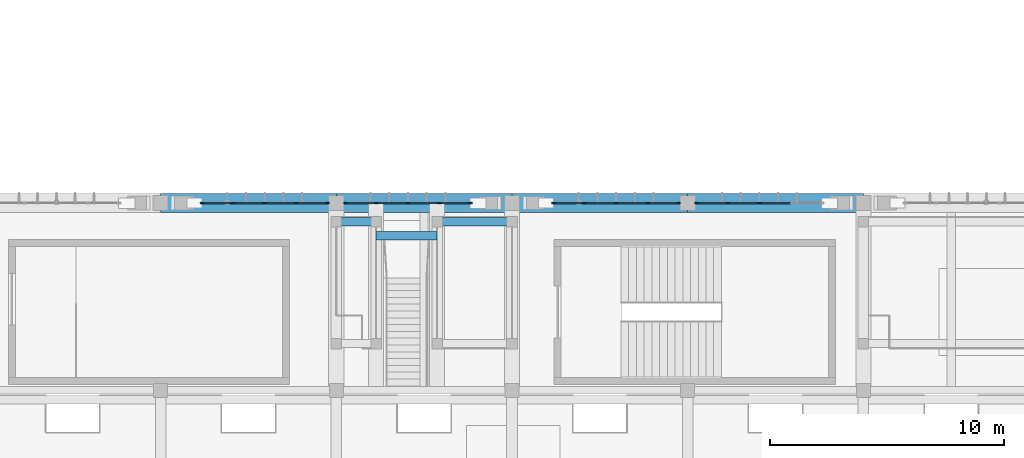
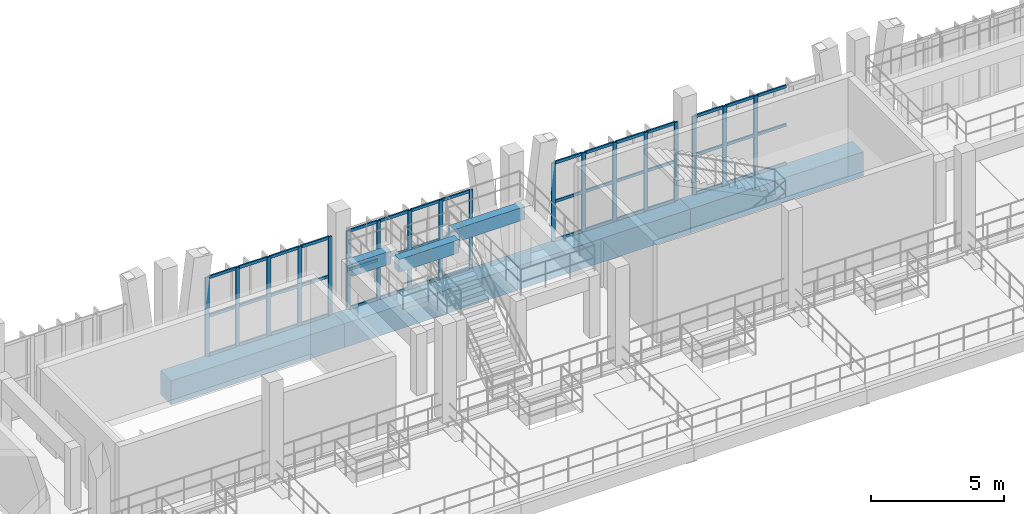
# One storey, part 20 of 81: 63 members, 7 beams, 4 elements without a shape of their own.
"""IFC4 building model written with IfcOpenShell, lengths in metres."""

from ifc_helpers import new_model, si_unit, direction, frame, origin, origin_2d, place, context, subcontext, project, spatial, rectangle, extrude, material, material_profile, profile_set, type_object, element, aggregate, save


model = new_model("IFC4")

# Units and contexts
model_context = context("Model", 3, precision=1e-05, world=origin(), true_north=direction((0.0, 1.0)))
body_context = subcontext(model_context, "Body", "Model", "MODEL_VIEW")
ifc_project = project(units=[si_unit("LENGTHUNIT", "METRE"), si_unit("AREAUNIT", "SQUARE_METRE"), si_unit("VOLUMEUNIT", "CUBIC_METRE"), si_unit("PLANEANGLEUNIT", "RADIAN"), si_unit("MASSUNIT", "GRAM", prefix="KILO")], contexts=[model_context])

# Site, building, storey
site_placement = place(None, origin())
site = spatial("IfcSite", under=ifc_project, at=site_placement, CompositionType="ELEMENT")
building_placement = place(site_placement, origin())
building = spatial("IfcBuilding", under=site, at=building_placement, Name="Vourika Railside Aquatics Centre", CompositionType="ELEMENT")
storey_placement = place(building_placement, frame((0.0, 0.0, 4.800048828125)))
storey = spatial("IfcBuildingStorey", under=building, at=storey_placement, Name="L01", CompositionType="ELEMENT", Elevation=4.800048828125)

# Beams
ifc_material_1 = material(Name="Concrete C40/50", Category="concrete")
ifc_material_profile_1 = material_profile(ifc_material_1, rectangle(XDim=0.800048828125, YDim=1.10009765625, at=origin_2d()), Name="RC 800x1100")
ifc_profile_set_1 = profile_set([ifc_material_profile_1], Name="Concrete C40/50")
beam_type_1 = type_object("IfcBeamType", Name="BM-RING-800x1100", PredefinedType="BEAM", material=ifc_profile_set_1)
for number, where, z_axis, x_axis, name in (
    (1, (96.0, 66.0, -0.85009765625), (1.0, 0.0, 0.0), (0.0, 1.0, 0.0), "Floor Beam GX-L01-088"),
    (2, (103.5, 66.0, -0.85009765625), (1.0, 0.0, 0.0), (0.0, 1.0, 0.0), "Floor Beam GX-L01-089"),
    (3, (111.0, 66.0, -0.85009765625), (1.0, 0.0, 0.0), (0.0, 1.0, 0.0), "Floor Beam GX-L01-090"),
    (4, (118.5, 66.0, -0.85009765625), (1.0, 0.0, 0.0), (0.0, 1.0, 0.0), "Floor Beam GX-L01-091"),
):
    element("IfcBeam", number, at=place(storey_placement, frame(where, z_axis=z_axis, x_axis=x_axis)), inside=storey, type_object=beam_type_1, Name=name, PredefinedType="BEAM", context=body_context, shape_type="SweptSolid", body=[
        extrude(rectangle(XDim=0.800048828125, YDim=1.10009765625, at=origin_2d()), origin(), (0.0, 0.0, 1.0), 7.5),
    ])
ifc_material_2 = material(Name="Concrete C35/45", Category="concrete")
ifc_material_profile_2 = material_profile(ifc_material_2, rectangle(XDim=0.35009765625, YDim=0.60009765625, at=origin_2d()), Name="RC 350x600")
ifc_profile_set_2 = profile_set([ifc_material_profile_2], Name="Concrete C35/45")
beam_type_2 = type_object("IfcBeamType", Name="BM-SEC-350x600", PredefinedType="JOIST", material=ifc_profile_set_2)
beam_1_placement = place(storey_placement, frame((105.199951171875, 64.60009765625, 2.454833984375), z_axis=(1.0, 0.0, 0.0), x_axis=(0.0, 1.0, 0.0)))
element("IfcBeam", 5, at=beam_1_placement, inside=storey, type_object=beam_type_2, Name="Vomitory Arrival Landing Beam 105.2-107.8", PredefinedType="JOIST", context=body_context, shape_type="SweptSolid", body=[
    extrude(rectangle(XDim=0.35009765625, YDim=0.60009765625, at=origin_2d()), origin(), (0.0, 0.0, 1.0), 2.60009765625),
])
beam_2_placement = place(storey_placement, frame((103.5, 65.199951171875, 2.5), z_axis=(1.0, 0.0, 0.0), x_axis=(0.0, 1.0, 0.0)))
element("IfcBeam", 6, at=beam_2_placement, inside=storey, type_object=beam_type_2, Name="Upper Stand Rear Beam 103.5-105.2", PredefinedType="JOIST", context=body_context, shape_type="SweptSolid", body=[
    extrude(rectangle(XDim=0.35009765625, YDim=0.60009765625, at=origin_2d()), origin(), (0.0, 0.0, 1.0), 1.699951171875),
])
beam_3_placement = place(storey_placement, frame((107.800048828125, 65.199951171875, 2.5), z_axis=(1.0, 0.0, 0.0), x_axis=(0.0, 1.0, 0.0)))
element("IfcBeam", 7, at=beam_3_placement, inside=storey, type_object=beam_type_2, Name="Upper Stand Rear Beam 107.8-111.0", PredefinedType="JOIST", context=body_context, shape_type="SweptSolid", body=[
    extrude(rectangle(XDim=0.35009765625, YDim=0.60009765625, at=origin_2d()), origin(), (0.0, 0.0, 1.0), 3.199951171875),
])

# Curtain wall, members
ifc_material_3 = material(Name="Anodized thermally broken aluminium", Category="aluminium")
curtain_wall_type = type_object("IfcCurtainWallType", Name="CW-CRT1", PredefinedType="NOTDEFINED", material=ifc_material_3)
curtain_wall_1_placement = place(storey_placement, origin())
curtain_wall_1 = element("IfcCurtainWall", 8, at=curtain_wall_1_placement, inside=storey, type_object=curtain_wall_type, Name="Spectator Concourse Courtyard Curtain Wall 9", PredefinedType="NOTDEFINED")
ifc_material_4 = material(Name="Anodized aluminium mullion", Category="aluminium")
ifc_material_profile_3 = material_profile(ifc_material_4, rectangle(XDim=0.06591796875, YDim=0.16796875, at=origin_2d()), Name="ALU-M 66x168")
ifc_profile_set_3 = profile_set([ifc_material_profile_3], Name="Anodized aluminium mullion")
member_type_1 = type_object("IfcMemberType", Name="CWM-CRT1", PredefinedType="MULLION", material=ifc_profile_set_3)
member_1_placement = place(storey_placement, frame((103.10693359375, 66.0, 0.0), z_axis=(0.0, 0.0, 1.0), x_axis=(0.0, -1.0, 0.0)))
member_1 = element("IfcMember", 9, at=member_1_placement, type_object=member_type_1, Name="CW13 mullion 1", PredefinedType="MULLION", context=body_context, shape_type="SweptSolid", body=[
    extrude(rectangle(XDim=0.06591796875, YDim=0.16796875, at=origin_2d()), origin(), (0.0, 0.0, 1.0), 3.599853515625),
])
member_2_placement = place(storey_placement, frame((101.79248046875, 66.0, 0.0), z_axis=(0.0, 0.0, 1.0), x_axis=(0.0, -1.0, 0.0)))
member_2 = element("IfcMember", 10, at=member_2_placement, type_object=member_type_1, Name="CW13 mullion 2", PredefinedType="MULLION", context=body_context, shape_type="SweptSolid", body=[
    extrude(rectangle(XDim=0.06591796875, YDim=0.16796875, at=origin_2d()), origin(), (0.0, 0.0, 1.0), 3.599853515625),
])
member_3_placement = place(storey_placement, frame((100.445068359375, 66.0, 0.0), z_axis=(0.0, 0.0, 1.0), x_axis=(0.0, -1.0, 0.0)))
member_3 = element("IfcMember", 11, at=member_3_placement, type_object=member_type_1, Name="CW13 mullion 3", PredefinedType="MULLION", context=body_context, shape_type="SweptSolid", body=[
    extrude(rectangle(XDim=0.06591796875, YDim=0.16796875, at=origin_2d()), origin(), (0.0, 0.0, 1.0), 3.599853515625),
])
member_4_placement = place(storey_placement, frame((99.097412109375, 66.0, 0.0), z_axis=(0.0, 0.0, 1.0), x_axis=(0.0, -1.0, 0.0)))
member_4 = element("IfcMember", 12, at=member_4_placement, type_object=member_type_1, Name="CW13 mullion 4", PredefinedType="MULLION", context=body_context, shape_type="SweptSolid", body=[
    extrude(rectangle(XDim=0.06591796875, YDim=0.16796875, at=origin_2d()), origin(), (0.0, 0.0, 1.0), 3.599853515625),
])
member_5_placement = place(storey_placement, frame((97.782958984375, 66.0, 0.0), z_axis=(0.0, 0.0, 1.0), x_axis=(0.0, -1.0, 0.0)))
member_5 = element("IfcMember", 13, at=member_5_placement, type_object=member_type_1, Name="CW13 mullion 5", PredefinedType="MULLION", context=body_context, shape_type="SweptSolid", body=[
    extrude(rectangle(XDim=0.06591796875, YDim=0.16796875, at=origin_2d()), origin(), (0.0, 0.0, 1.0), 3.599853515625),
])

curtain_wall_2_placement = place(storey_placement, origin())
curtain_wall_2 = element("IfcCurtainWall", 14, at=curtain_wall_2_placement, inside=storey, type_object=curtain_wall_type, Name="Spectator Concourse Courtyard Curtain Wall 10", PredefinedType="NOTDEFINED")
member_6_placement = place(storey_placement, frame((109.217041015625, 66.0, 0.0), z_axis=(0.0, 0.0, 1.0), x_axis=(0.0, -1.0, 0.0)))
member_6 = element("IfcMember", 15, at=member_6_placement, type_object=member_type_1, Name="CW13 mullion 1", PredefinedType="MULLION", context=body_context, shape_type="SweptSolid", body=[
    extrude(rectangle(XDim=0.06591796875, YDim=0.16796875, at=origin_2d()), origin(), (0.0, 0.0, 1.0), 3.599853515625),
])
member_7_placement = place(storey_placement, frame((107.902587890625, 66.0, 0.0), z_axis=(0.0, 0.0, 1.0), x_axis=(0.0, -1.0, 0.0)))
member_7 = element("IfcMember", 16, at=member_7_placement, type_object=member_type_1, Name="CW13 mullion 2", PredefinedType="MULLION", context=body_context, shape_type="SweptSolid", body=[
    extrude(rectangle(XDim=0.06591796875, YDim=0.16796875, at=origin_2d()), origin(), (0.0, 0.0, 1.0), 3.599853515625),
])
member_8_placement = place(storey_placement, frame((106.554931640625, 66.0, 0.0), z_axis=(0.0, 0.0, 1.0), x_axis=(0.0, -1.0, 0.0)))
member_8 = element("IfcMember", 17, at=member_8_placement, type_object=member_type_1, Name="CW13 mullion 3", PredefinedType="MULLION", context=body_context, shape_type="SweptSolid", body=[
    extrude(rectangle(XDim=0.06591796875, YDim=0.16796875, at=origin_2d()), origin(), (0.0, 0.0, 1.0), 3.599853515625),
])
member_9_placement = place(storey_placement, frame((105.20751953125, 66.0, 0.0), z_axis=(0.0, 0.0, 1.0), x_axis=(0.0, -1.0, 0.0)))
member_9 = element("IfcMember", 18, at=member_9_placement, type_object=member_type_1, Name="CW13 mullion 4", PredefinedType="MULLION", context=body_context, shape_type="SweptSolid", body=[
    extrude(rectangle(XDim=0.06591796875, YDim=0.16796875, at=origin_2d()), origin(), (0.0, 0.0, 1.0), 3.599853515625),
])
member_10_placement = place(storey_placement, frame((103.89306640625, 66.0, 0.0), z_axis=(0.0, 0.0, 1.0), x_axis=(0.0, -1.0, 0.0)))
member_10 = element("IfcMember", 19, at=member_10_placement, type_object=member_type_1, Name="CW13 mullion 5", PredefinedType="MULLION", context=body_context, shape_type="SweptSolid", body=[
    extrude(rectangle(XDim=0.06591796875, YDim=0.16796875, at=origin_2d()), origin(), (0.0, 0.0, 1.0), 3.599853515625),
])

curtain_wall_3_placement = place(storey_placement, origin())
curtain_wall_3 = element("IfcCurtainWall", 20, at=curtain_wall_3_placement, inside=storey, type_object=curtain_wall_type, Name="Spectator Concourse Courtyard Curtain Wall 11", PredefinedType="NOTDEFINED")
member_11_placement = place(storey_placement, frame((118.10693359375, 66.0, 0.0), z_axis=(0.0, 0.0, 1.0), x_axis=(0.0, -1.0, 0.0)))
member_11 = element("IfcMember", 21, at=member_11_placement, type_object=member_type_1, Name="CW13 mullion 1", PredefinedType="MULLION", context=body_context, shape_type="SweptSolid", body=[
    extrude(rectangle(XDim=0.06591796875, YDim=0.16796875, at=origin_2d()), origin(), (0.0, 0.0, 1.0), 3.599853515625),
])
member_12_placement = place(storey_placement, frame((116.79248046875, 66.0, 0.0), z_axis=(0.0, 0.0, 1.0), x_axis=(0.0, -1.0, 0.0)))
member_12 = element("IfcMember", 22, at=member_12_placement, type_object=member_type_1, Name="CW13 mullion 2", PredefinedType="MULLION", context=body_context, shape_type="SweptSolid", body=[
    extrude(rectangle(XDim=0.06591796875, YDim=0.16796875, at=origin_2d()), origin(), (0.0, 0.0, 1.0), 3.599853515625),
])
member_13_placement = place(storey_placement, frame((115.445068359375, 66.0, 0.0), z_axis=(0.0, 0.0, 1.0), x_axis=(0.0, -1.0, 0.0)))
member_13 = element("IfcMember", 23, at=member_13_placement, type_object=member_type_1, Name="CW13 mullion 3", PredefinedType="MULLION", context=body_context, shape_type="SweptSolid", body=[
    extrude(rectangle(XDim=0.06591796875, YDim=0.16796875, at=origin_2d()), origin(), (0.0, 0.0, 1.0), 3.599853515625),
])
member_14_placement = place(storey_placement, frame((114.097412109375, 66.0, 0.0), z_axis=(0.0, 0.0, 1.0), x_axis=(0.0, -1.0, 0.0)))
member_14 = element("IfcMember", 24, at=member_14_placement, type_object=member_type_1, Name="CW13 mullion 4", PredefinedType="MULLION", context=body_context, shape_type="SweptSolid", body=[
    extrude(rectangle(XDim=0.06591796875, YDim=0.16796875, at=origin_2d()), origin(), (0.0, 0.0, 1.0), 3.599853515625),
])
member_15_placement = place(storey_placement, frame((112.782958984375, 66.0, 0.0), z_axis=(0.0, 0.0, 1.0), x_axis=(0.0, -1.0, 0.0)))
member_15 = element("IfcMember", 25, at=member_15_placement, type_object=member_type_1, Name="CW13 mullion 5", PredefinedType="MULLION", context=body_context, shape_type="SweptSolid", body=[
    extrude(rectangle(XDim=0.06591796875, YDim=0.16796875, at=origin_2d()), origin(), (0.0, 0.0, 1.0), 3.599853515625),
])

curtain_wall_4_placement = place(storey_placement, origin())
curtain_wall_4 = element("IfcCurtainWall", 26, at=curtain_wall_4_placement, inside=storey, type_object=curtain_wall_type, Name="Spectator Concourse Courtyard Curtain Wall 12", PredefinedType="NOTDEFINED")
member_16_placement = place(storey_placement, frame((121.554931640625, 66.0, 0.0), z_axis=(0.0, 0.0, 1.0), x_axis=(0.0, -1.0, 0.0)))
member_16 = element("IfcMember", 27, at=member_16_placement, type_object=member_type_1, Name="CW13 mullion 3", PredefinedType="MULLION", context=body_context, shape_type="SweptSolid", body=[
    extrude(rectangle(XDim=0.06591796875, YDim=0.16796875, at=origin_2d()), origin(), (0.0, 0.0, 1.0), 3.599853515625),
])
member_17_placement = place(storey_placement, frame((120.20751953125, 66.0, 0.0), z_axis=(0.0, 0.0, 1.0), x_axis=(0.0, -1.0, 0.0)))
member_17 = element("IfcMember", 28, at=member_17_placement, type_object=member_type_1, Name="CW13 mullion 4", PredefinedType="MULLION", context=body_context, shape_type="SweptSolid", body=[
    extrude(rectangle(XDim=0.06591796875, YDim=0.16796875, at=origin_2d()), origin(), (0.0, 0.0, 1.0), 3.599853515625),
])
member_18_placement = place(storey_placement, frame((118.89306640625, 66.0, 0.0), z_axis=(0.0, 0.0, 1.0), x_axis=(0.0, -1.0, 0.0)))
member_18 = element("IfcMember", 29, at=member_18_placement, type_object=member_type_1, Name="CW13 mullion 5", PredefinedType="MULLION", context=body_context, shape_type="SweptSolid", body=[
    extrude(rectangle(XDim=0.06591796875, YDim=0.16796875, at=origin_2d()), origin(), (0.0, 0.0, 1.0), 3.599853515625),
])

# Member
ifc_material_5 = material(Name="Anodized aluminium transom", Category="aluminium")
ifc_material_profile_4 = material_profile(ifc_material_5, rectangle(XDim=0.06591796875, YDim=0.132080078125, at=origin_2d()), Name="ALU-T 66x132")
ifc_profile_set_4 = profile_set([ifc_material_profile_4], Name="Anodized aluminium transom")
member_type_2 = type_object("IfcMemberType", Name="CWT-CRT1", PredefinedType="USERDEFINED", material=ifc_profile_set_4)
member_19_placement = place(storey_placement, frame((103.073974609375, 66.0, 0.032958984375), z_axis=(-1.0, 0.0, 0.0), x_axis=(0.0, -1.0, 0.0)))
member_19 = element("IfcMember", 30, at=member_19_placement, type_object=member_type_2, Name="CW13 transom 1.1", ObjectType="TRANSOM", PredefinedType="USERDEFINED", context=body_context, shape_type="SweptSolid", body=[
    extrude(rectangle(XDim=0.06591796875, YDim=0.132080078125, at=origin_2d()), origin(), (0.0, 0.0, 1.0), 1.24853515625),
])

member_20_placement = place(storey_placement, frame((103.073974609375, 66.0, 1.800048828125), z_axis=(-1.0, 0.0, 0.0), x_axis=(0.0, -1.0, 0.0)))
member_20 = element("IfcMember", 31, at=member_20_placement, type_object=member_type_2, Name="CW13 transom 1.2", ObjectType="TRANSOM", PredefinedType="USERDEFINED", context=body_context, shape_type="SweptSolid", body=[
    extrude(rectangle(XDim=0.06591796875, YDim=0.132080078125, at=origin_2d()), origin(), (0.0, 0.0, 1.0), 1.24853515625),
])

member_21_placement = place(storey_placement, frame((103.073974609375, 66.0, 3.56689453125), z_axis=(-1.0, 0.0, 0.0), x_axis=(0.0, -1.0, 0.0)))
member_21 = element("IfcMember", 32, at=member_21_placement, type_object=member_type_2, Name="CW13 transom 1.3", ObjectType="TRANSOM", PredefinedType="USERDEFINED", context=body_context, shape_type="SweptSolid", body=[
    extrude(rectangle(XDim=0.06591796875, YDim=0.132080078125, at=origin_2d()), origin(), (0.0, 0.0, 1.0), 1.24853515625),
])

member_22_placement = place(storey_placement, frame((101.759521484375, 66.0, 0.032958984375), z_axis=(-1.0, 0.0, 0.0), x_axis=(0.0, -1.0, 0.0)))
member_22 = element("IfcMember", 33, at=member_22_placement, type_object=member_type_2, Name="CW13 transom 2.1", ObjectType="TRANSOM", PredefinedType="USERDEFINED", context=body_context, shape_type="SweptSolid", body=[
    extrude(rectangle(XDim=0.06591796875, YDim=0.132080078125, at=origin_2d()), origin(), (0.0, 0.0, 1.0), 1.281494140625),
])

member_23_placement = place(storey_placement, frame((101.759521484375, 66.0, 1.800048828125), z_axis=(-1.0, 0.0, 0.0), x_axis=(0.0, -1.0, 0.0)))
member_23 = element("IfcMember", 34, at=member_23_placement, type_object=member_type_2, Name="CW13 transom 2.2", ObjectType="TRANSOM", PredefinedType="USERDEFINED", context=body_context, shape_type="SweptSolid", body=[
    extrude(rectangle(XDim=0.06591796875, YDim=0.132080078125, at=origin_2d()), origin(), (0.0, 0.0, 1.0), 1.281494140625),
])

member_24_placement = place(storey_placement, frame((101.759521484375, 66.0, 3.56689453125), z_axis=(-1.0, 0.0, 0.0), x_axis=(0.0, -1.0, 0.0)))
member_24 = element("IfcMember", 35, at=member_24_placement, type_object=member_type_2, Name="CW13 transom 2.3", ObjectType="TRANSOM", PredefinedType="USERDEFINED", context=body_context, shape_type="SweptSolid", body=[
    extrude(rectangle(XDim=0.06591796875, YDim=0.132080078125, at=origin_2d()), origin(), (0.0, 0.0, 1.0), 1.281494140625),
])

member_25_placement = place(storey_placement, frame((100.412109375, 66.0, 0.032958984375), z_axis=(-1.0, 0.0, 0.0), x_axis=(0.0, -1.0, 0.0)))
member_25 = element("IfcMember", 36, at=member_25_placement, type_object=member_type_2, Name="CW13 transom 3.1", ObjectType="TRANSOM", PredefinedType="USERDEFINED", context=body_context, shape_type="SweptSolid", body=[
    extrude(rectangle(XDim=0.06591796875, YDim=0.132080078125, at=origin_2d()), origin(), (0.0, 0.0, 1.0), 1.281494140625),
])

member_26_placement = place(storey_placement, frame((100.412109375, 66.0, 1.800048828125), z_axis=(-1.0, 0.0, 0.0), x_axis=(0.0, -1.0, 0.0)))
member_26 = element("IfcMember", 37, at=member_26_placement, type_object=member_type_2, Name="CW13 transom 3.2", ObjectType="TRANSOM", PredefinedType="USERDEFINED", context=body_context, shape_type="SweptSolid", body=[
    extrude(rectangle(XDim=0.06591796875, YDim=0.132080078125, at=origin_2d()), origin(), (0.0, 0.0, 1.0), 1.281494140625),
])

member_27_placement = place(storey_placement, frame((100.412109375, 66.0, 3.56689453125), z_axis=(-1.0, 0.0, 0.0), x_axis=(0.0, -1.0, 0.0)))
member_27 = element("IfcMember", 38, at=member_27_placement, type_object=member_type_2, Name="CW13 transom 3.3", ObjectType="TRANSOM", PredefinedType="USERDEFINED", context=body_context, shape_type="SweptSolid", body=[
    extrude(rectangle(XDim=0.06591796875, YDim=0.132080078125, at=origin_2d()), origin(), (0.0, 0.0, 1.0), 1.281494140625),
])

member_28_placement = place(storey_placement, frame((99.064453125, 66.0, 0.032958984375), z_axis=(-1.0, 0.0, 0.0), x_axis=(0.0, -1.0, 0.0)))
member_28 = element("IfcMember", 39, at=member_28_placement, type_object=member_type_2, Name="CW13 transom 4.1", ObjectType="TRANSOM", PredefinedType="USERDEFINED", context=body_context, shape_type="SweptSolid", body=[
    extrude(rectangle(XDim=0.06591796875, YDim=0.132080078125, at=origin_2d()), origin(), (0.0, 0.0, 1.0), 1.24853515625),
])

member_29_placement = place(storey_placement, frame((99.064453125, 66.0, 1.800048828125), z_axis=(-1.0, 0.0, 0.0), x_axis=(0.0, -1.0, 0.0)))
member_29 = element("IfcMember", 40, at=member_29_placement, type_object=member_type_2, Name="CW13 transom 4.2", ObjectType="TRANSOM", PredefinedType="USERDEFINED", context=body_context, shape_type="SweptSolid", body=[
    extrude(rectangle(XDim=0.06591796875, YDim=0.132080078125, at=origin_2d()), origin(), (0.0, 0.0, 1.0), 1.24853515625),
])

member_30_placement = place(storey_placement, frame((99.064453125, 66.0, 3.56689453125), z_axis=(-1.0, 0.0, 0.0), x_axis=(0.0, -1.0, 0.0)))
member_30 = element("IfcMember", 41, at=member_30_placement, type_object=member_type_2, Name="CW13 transom 4.3", ObjectType="TRANSOM", PredefinedType="USERDEFINED", context=body_context, shape_type="SweptSolid", body=[
    extrude(rectangle(XDim=0.06591796875, YDim=0.132080078125, at=origin_2d()), origin(), (0.0, 0.0, 1.0), 1.24853515625),
])

aggregate(curtain_wall_1, [member_1, member_2, member_3, member_4, member_5, member_19, member_20, member_21, member_22, member_23, member_24, member_25, member_26, member_27, member_28, member_29, member_30])

member_31_placement = place(storey_placement, frame((109.18408203125, 66.0, 0.032958984375), z_axis=(-1.0, 0.0, 0.0), x_axis=(0.0, -1.0, 0.0)))
member_31 = element("IfcMember", 42, at=member_31_placement, type_object=member_type_2, Name="CW13 transom 1.1", ObjectType="TRANSOM", PredefinedType="USERDEFINED", context=body_context, shape_type="SweptSolid", body=[
    extrude(rectangle(XDim=0.06591796875, YDim=0.132080078125, at=origin_2d()), origin(), (0.0, 0.0, 1.0), 1.24853515625),
])

member_32_placement = place(storey_placement, frame((109.18408203125, 66.0, 1.800048828125), z_axis=(-1.0, 0.0, 0.0), x_axis=(0.0, -1.0, 0.0)))
member_32 = element("IfcMember", 43, at=member_32_placement, type_object=member_type_2, Name="CW13 transom 1.2", ObjectType="TRANSOM", PredefinedType="USERDEFINED", context=body_context, shape_type="SweptSolid", body=[
    extrude(rectangle(XDim=0.06591796875, YDim=0.132080078125, at=origin_2d()), origin(), (0.0, 0.0, 1.0), 1.24853515625),
])

member_33_placement = place(storey_placement, frame((109.18408203125, 66.0, 3.56689453125), z_axis=(-1.0, 0.0, 0.0), x_axis=(0.0, -1.0, 0.0)))
member_33 = element("IfcMember", 44, at=member_33_placement, type_object=member_type_2, Name="CW13 transom 1.3", ObjectType="TRANSOM", PredefinedType="USERDEFINED", context=body_context, shape_type="SweptSolid", body=[
    extrude(rectangle(XDim=0.06591796875, YDim=0.132080078125, at=origin_2d()), origin(), (0.0, 0.0, 1.0), 1.24853515625),
])

member_34_placement = place(storey_placement, frame((107.869384765625, 66.0, 0.032958984375), z_axis=(-1.0, 0.0, 0.0), x_axis=(0.0, -1.0, 0.0)))
member_34 = element("IfcMember", 45, at=member_34_placement, type_object=member_type_2, Name="CW13 transom 2.1", ObjectType="TRANSOM", PredefinedType="USERDEFINED", context=body_context, shape_type="SweptSolid", body=[
    extrude(rectangle(XDim=0.06591796875, YDim=0.132080078125, at=origin_2d()), origin(), (0.0, 0.0, 1.0), 1.281494140625),
])

member_35_placement = place(storey_placement, frame((107.869384765625, 66.0, 1.800048828125), z_axis=(-1.0, 0.0, 0.0), x_axis=(0.0, -1.0, 0.0)))
member_35 = element("IfcMember", 46, at=member_35_placement, type_object=member_type_2, Name="CW13 transom 2.2", ObjectType="TRANSOM", PredefinedType="USERDEFINED", context=body_context, shape_type="SweptSolid", body=[
    extrude(rectangle(XDim=0.06591796875, YDim=0.132080078125, at=origin_2d()), origin(), (0.0, 0.0, 1.0), 1.281494140625),
])

member_36_placement = place(storey_placement, frame((107.869384765625, 66.0, 3.56689453125), z_axis=(-1.0, 0.0, 0.0), x_axis=(0.0, -1.0, 0.0)))
member_36 = element("IfcMember", 47, at=member_36_placement, type_object=member_type_2, Name="CW13 transom 2.3", ObjectType="TRANSOM", PredefinedType="USERDEFINED", context=body_context, shape_type="SweptSolid", body=[
    extrude(rectangle(XDim=0.06591796875, YDim=0.132080078125, at=origin_2d()), origin(), (0.0, 0.0, 1.0), 1.281494140625),
])

member_37_placement = place(storey_placement, frame((106.52197265625, 66.0, 0.032958984375), z_axis=(-1.0, 0.0, 0.0), x_axis=(0.0, -1.0, 0.0)))
member_37 = element("IfcMember", 48, at=member_37_placement, type_object=member_type_2, Name="CW13 transom 3.1", ObjectType="TRANSOM", PredefinedType="USERDEFINED", context=body_context, shape_type="SweptSolid", body=[
    extrude(rectangle(XDim=0.06591796875, YDim=0.132080078125, at=origin_2d()), origin(), (0.0, 0.0, 1.0), 1.281494140625),
])

member_38_placement = place(storey_placement, frame((106.52197265625, 66.0, 1.800048828125), z_axis=(-1.0, 0.0, 0.0), x_axis=(0.0, -1.0, 0.0)))
member_38 = element("IfcMember", 49, at=member_38_placement, type_object=member_type_2, Name="CW13 transom 3.2", ObjectType="TRANSOM", PredefinedType="USERDEFINED", context=body_context, shape_type="SweptSolid", body=[
    extrude(rectangle(XDim=0.06591796875, YDim=0.132080078125, at=origin_2d()), origin(), (0.0, 0.0, 1.0), 1.281494140625),
])

member_39_placement = place(storey_placement, frame((106.52197265625, 66.0, 3.56689453125), z_axis=(-1.0, 0.0, 0.0), x_axis=(0.0, -1.0, 0.0)))
member_39 = element("IfcMember", 50, at=member_39_placement, type_object=member_type_2, Name="CW13 transom 3.3", ObjectType="TRANSOM", PredefinedType="USERDEFINED", context=body_context, shape_type="SweptSolid", body=[
    extrude(rectangle(XDim=0.06591796875, YDim=0.132080078125, at=origin_2d()), origin(), (0.0, 0.0, 1.0), 1.281494140625),
])

member_40_placement = place(storey_placement, frame((105.174560546875, 66.0, 0.032958984375), z_axis=(-1.0, 0.0, 0.0), x_axis=(0.0, -1.0, 0.0)))
member_40 = element("IfcMember", 51, at=member_40_placement, type_object=member_type_2, Name="CW13 transom 4.1", ObjectType="TRANSOM", PredefinedType="USERDEFINED", context=body_context, shape_type="SweptSolid", body=[
    extrude(rectangle(XDim=0.06591796875, YDim=0.132080078125, at=origin_2d()), origin(), (0.0, 0.0, 1.0), 1.24853515625),
])

member_41_placement = place(storey_placement, frame((105.174560546875, 66.0, 1.800048828125), z_axis=(-1.0, 0.0, 0.0), x_axis=(0.0, -1.0, 0.0)))
member_41 = element("IfcMember", 52, at=member_41_placement, type_object=member_type_2, Name="CW13 transom 4.2", ObjectType="TRANSOM", PredefinedType="USERDEFINED", context=body_context, shape_type="SweptSolid", body=[
    extrude(rectangle(XDim=0.06591796875, YDim=0.132080078125, at=origin_2d()), origin(), (0.0, 0.0, 1.0), 1.24853515625),
])

member_42_placement = place(storey_placement, frame((105.174560546875, 66.0, 3.56689453125), z_axis=(-1.0, 0.0, 0.0), x_axis=(0.0, -1.0, 0.0)))
member_42 = element("IfcMember", 53, at=member_42_placement, type_object=member_type_2, Name="CW13 transom 4.3", ObjectType="TRANSOM", PredefinedType="USERDEFINED", context=body_context, shape_type="SweptSolid", body=[
    extrude(rectangle(XDim=0.06591796875, YDim=0.132080078125, at=origin_2d()), origin(), (0.0, 0.0, 1.0), 1.24853515625),
])

aggregate(curtain_wall_2, [member_6, member_7, member_8, member_9, member_10, member_31, member_32, member_33, member_34, member_35, member_36, member_37, member_38, member_39, member_40, member_41, member_42])

member_43_placement = place(storey_placement, frame((118.073974609375, 66.0, 0.032958984375), z_axis=(-1.0, 0.0, 0.0), x_axis=(0.0, -1.0, 0.0)))
member_43 = element("IfcMember", 54, at=member_43_placement, type_object=member_type_2, Name="CW13 transom 1.1", ObjectType="TRANSOM", PredefinedType="USERDEFINED", context=body_context, shape_type="SweptSolid", body=[
    extrude(rectangle(XDim=0.06591796875, YDim=0.132080078125, at=origin_2d()), origin(), (0.0, 0.0, 1.0), 1.24853515625),
])

member_44_placement = place(storey_placement, frame((118.073974609375, 66.0, 1.800048828125), z_axis=(-1.0, 0.0, 0.0), x_axis=(0.0, -1.0, 0.0)))
member_44 = element("IfcMember", 55, at=member_44_placement, type_object=member_type_2, Name="CW13 transom 1.2", ObjectType="TRANSOM", PredefinedType="USERDEFINED", context=body_context, shape_type="SweptSolid", body=[
    extrude(rectangle(XDim=0.06591796875, YDim=0.132080078125, at=origin_2d()), origin(), (0.0, 0.0, 1.0), 1.24853515625),
])

member_45_placement = place(storey_placement, frame((118.073974609375, 66.0, 3.56689453125), z_axis=(-1.0, 0.0, 0.0), x_axis=(0.0, -1.0, 0.0)))
member_45 = element("IfcMember", 56, at=member_45_placement, type_object=member_type_2, Name="CW13 transom 1.3", ObjectType="TRANSOM", PredefinedType="USERDEFINED", context=body_context, shape_type="SweptSolid", body=[
    extrude(rectangle(XDim=0.06591796875, YDim=0.132080078125, at=origin_2d()), origin(), (0.0, 0.0, 1.0), 1.24853515625),
])

member_46_placement = place(storey_placement, frame((116.759521484375, 66.0, 0.032958984375), z_axis=(-1.0, 0.0, 0.0), x_axis=(0.0, -1.0, 0.0)))
member_46 = element("IfcMember", 57, at=member_46_placement, type_object=member_type_2, Name="CW13 transom 2.1", ObjectType="TRANSOM", PredefinedType="USERDEFINED", context=body_context, shape_type="SweptSolid", body=[
    extrude(rectangle(XDim=0.06591796875, YDim=0.132080078125, at=origin_2d()), origin(), (0.0, 0.0, 1.0), 1.281494140625),
])

member_47_placement = place(storey_placement, frame((116.759521484375, 66.0, 1.800048828125), z_axis=(-1.0, 0.0, 0.0), x_axis=(0.0, -1.0, 0.0)))
member_47 = element("IfcMember", 58, at=member_47_placement, type_object=member_type_2, Name="CW13 transom 2.2", ObjectType="TRANSOM", PredefinedType="USERDEFINED", context=body_context, shape_type="SweptSolid", body=[
    extrude(rectangle(XDim=0.06591796875, YDim=0.132080078125, at=origin_2d()), origin(), (0.0, 0.0, 1.0), 1.281494140625),
])

member_48_placement = place(storey_placement, frame((116.759521484375, 66.0, 3.56689453125), z_axis=(-1.0, 0.0, 0.0), x_axis=(0.0, -1.0, 0.0)))
member_48 = element("IfcMember", 59, at=member_48_placement, type_object=member_type_2, Name="CW13 transom 2.3", ObjectType="TRANSOM", PredefinedType="USERDEFINED", context=body_context, shape_type="SweptSolid", body=[
    extrude(rectangle(XDim=0.06591796875, YDim=0.132080078125, at=origin_2d()), origin(), (0.0, 0.0, 1.0), 1.281494140625),
])

member_49_placement = place(storey_placement, frame((115.412109375, 66.0, 0.032958984375), z_axis=(-1.0, 0.0, 0.0), x_axis=(0.0, -1.0, 0.0)))
member_49 = element("IfcMember", 60, at=member_49_placement, type_object=member_type_2, Name="CW13 transom 3.1", ObjectType="TRANSOM", PredefinedType="USERDEFINED", context=body_context, shape_type="SweptSolid", body=[
    extrude(rectangle(XDim=0.06591796875, YDim=0.132080078125, at=origin_2d()), origin(), (0.0, 0.0, 1.0), 1.281494140625),
])

member_50_placement = place(storey_placement, frame((115.412109375, 66.0, 1.800048828125), z_axis=(-1.0, 0.0, 0.0), x_axis=(0.0, -1.0, 0.0)))
member_50 = element("IfcMember", 61, at=member_50_placement, type_object=member_type_2, Name="CW13 transom 3.2", ObjectType="TRANSOM", PredefinedType="USERDEFINED", context=body_context, shape_type="SweptSolid", body=[
    extrude(rectangle(XDim=0.06591796875, YDim=0.132080078125, at=origin_2d()), origin(), (0.0, 0.0, 1.0), 1.281494140625),
])

member_51_placement = place(storey_placement, frame((115.412109375, 66.0, 3.56689453125), z_axis=(-1.0, 0.0, 0.0), x_axis=(0.0, -1.0, 0.0)))
member_51 = element("IfcMember", 62, at=member_51_placement, type_object=member_type_2, Name="CW13 transom 3.3", ObjectType="TRANSOM", PredefinedType="USERDEFINED", context=body_context, shape_type="SweptSolid", body=[
    extrude(rectangle(XDim=0.06591796875, YDim=0.132080078125, at=origin_2d()), origin(), (0.0, 0.0, 1.0), 1.281494140625),
])

member_52_placement = place(storey_placement, frame((114.064453125, 66.0, 0.032958984375), z_axis=(-1.0, 0.0, 0.0), x_axis=(0.0, -1.0, 0.0)))
member_52 = element("IfcMember", 63, at=member_52_placement, type_object=member_type_2, Name="CW13 transom 4.1", ObjectType="TRANSOM", PredefinedType="USERDEFINED", context=body_context, shape_type="SweptSolid", body=[
    extrude(rectangle(XDim=0.06591796875, YDim=0.132080078125, at=origin_2d()), origin(), (0.0, 0.0, 1.0), 1.24853515625),
])

member_53_placement = place(storey_placement, frame((114.064453125, 66.0, 1.800048828125), z_axis=(-1.0, 0.0, 0.0), x_axis=(0.0, -1.0, 0.0)))
member_53 = element("IfcMember", 64, at=member_53_placement, type_object=member_type_2, Name="CW13 transom 4.2", ObjectType="TRANSOM", PredefinedType="USERDEFINED", context=body_context, shape_type="SweptSolid", body=[
    extrude(rectangle(XDim=0.06591796875, YDim=0.132080078125, at=origin_2d()), origin(), (0.0, 0.0, 1.0), 1.24853515625),
])

member_54_placement = place(storey_placement, frame((114.064453125, 66.0, 3.56689453125), z_axis=(-1.0, 0.0, 0.0), x_axis=(0.0, -1.0, 0.0)))
member_54 = element("IfcMember", 65, at=member_54_placement, type_object=member_type_2, Name="CW13 transom 4.3", ObjectType="TRANSOM", PredefinedType="USERDEFINED", context=body_context, shape_type="SweptSolid", body=[
    extrude(rectangle(XDim=0.06591796875, YDim=0.132080078125, at=origin_2d()), origin(), (0.0, 0.0, 1.0), 1.24853515625),
])

aggregate(curtain_wall_3, [member_11, member_12, member_13, member_14, member_15, member_43, member_44, member_45, member_46, member_47, member_48, member_49, member_50, member_51, member_52, member_53, member_54])

member_55_placement = place(storey_placement, frame((122.869384765625, 66.0, 0.032958984375), z_axis=(-1.0, 0.0, 0.0), x_axis=(0.0, -1.0, 0.0)))
member_55 = element("IfcMember", 66, at=member_55_placement, type_object=member_type_2, Name="CW13 transom 2.1", ObjectType="TRANSOM", PredefinedType="USERDEFINED", context=body_context, shape_type="SweptSolid", body=[
    extrude(rectangle(XDim=0.06591796875, YDim=0.132080078125, at=origin_2d()), origin(), (0.0, 0.0, 1.0), 1.281494140625),
])

member_56_placement = place(storey_placement, frame((122.869384765625, 66.0, 1.800048828125), z_axis=(-1.0, 0.0, 0.0), x_axis=(0.0, -1.0, 0.0)))
member_56 = element("IfcMember", 67, at=member_56_placement, type_object=member_type_2, Name="CW13 transom 2.2", ObjectType="TRANSOM", PredefinedType="USERDEFINED", context=body_context, shape_type="SweptSolid", body=[
    extrude(rectangle(XDim=0.06591796875, YDim=0.132080078125, at=origin_2d()), origin(), (0.0, 0.0, 1.0), 1.281494140625),
])

member_57_placement = place(storey_placement, frame((122.869384765625, 66.0, 3.56689453125), z_axis=(-1.0, 0.0, 0.0), x_axis=(0.0, -1.0, 0.0)))
member_57 = element("IfcMember", 68, at=member_57_placement, type_object=member_type_2, Name="CW13 transom 2.3", ObjectType="TRANSOM", PredefinedType="USERDEFINED", context=body_context, shape_type="SweptSolid", body=[
    extrude(rectangle(XDim=0.06591796875, YDim=0.132080078125, at=origin_2d()), origin(), (0.0, 0.0, 1.0), 1.281494140625),
])

member_58_placement = place(storey_placement, frame((121.52197265625, 66.0, 0.032958984375), z_axis=(-1.0, 0.0, 0.0), x_axis=(0.0, -1.0, 0.0)))
member_58 = element("IfcMember", 69, at=member_58_placement, type_object=member_type_2, Name="CW13 transom 3.1", ObjectType="TRANSOM", PredefinedType="USERDEFINED", context=body_context, shape_type="SweptSolid", body=[
    extrude(rectangle(XDim=0.06591796875, YDim=0.132080078125, at=origin_2d()), origin(), (0.0, 0.0, 1.0), 1.281494140625),
])

member_59_placement = place(storey_placement, frame((121.52197265625, 66.0, 1.800048828125), z_axis=(-1.0, 0.0, 0.0), x_axis=(0.0, -1.0, 0.0)))
member_59 = element("IfcMember", 70, at=member_59_placement, type_object=member_type_2, Name="CW13 transom 3.2", ObjectType="TRANSOM", PredefinedType="USERDEFINED", context=body_context, shape_type="SweptSolid", body=[
    extrude(rectangle(XDim=0.06591796875, YDim=0.132080078125, at=origin_2d()), origin(), (0.0, 0.0, 1.0), 1.281494140625),
])

member_60_placement = place(storey_placement, frame((121.52197265625, 66.0, 3.56689453125), z_axis=(-1.0, 0.0, 0.0), x_axis=(0.0, -1.0, 0.0)))
member_60 = element("IfcMember", 71, at=member_60_placement, type_object=member_type_2, Name="CW13 transom 3.3", ObjectType="TRANSOM", PredefinedType="USERDEFINED", context=body_context, shape_type="SweptSolid", body=[
    extrude(rectangle(XDim=0.06591796875, YDim=0.132080078125, at=origin_2d()), origin(), (0.0, 0.0, 1.0), 1.281494140625),
])

member_61_placement = place(storey_placement, frame((120.174560546875, 66.0, 0.032958984375), z_axis=(-1.0, 0.0, 0.0), x_axis=(0.0, -1.0, 0.0)))
member_61 = element("IfcMember", 72, at=member_61_placement, type_object=member_type_2, Name="CW13 transom 4.1", ObjectType="TRANSOM", PredefinedType="USERDEFINED", context=body_context, shape_type="SweptSolid", body=[
    extrude(rectangle(XDim=0.06591796875, YDim=0.132080078125, at=origin_2d()), origin(), (0.0, 0.0, 1.0), 1.24853515625),
])

member_62_placement = place(storey_placement, frame((120.174560546875, 66.0, 1.800048828125), z_axis=(-1.0, 0.0, 0.0), x_axis=(0.0, -1.0, 0.0)))
member_62 = element("IfcMember", 73, at=member_62_placement, type_object=member_type_2, Name="CW13 transom 4.2", ObjectType="TRANSOM", PredefinedType="USERDEFINED", context=body_context, shape_type="SweptSolid", body=[
    extrude(rectangle(XDim=0.06591796875, YDim=0.132080078125, at=origin_2d()), origin(), (0.0, 0.0, 1.0), 1.24853515625),
])

member_63_placement = place(storey_placement, frame((120.174560546875, 66.0, 3.56689453125), z_axis=(-1.0, 0.0, 0.0), x_axis=(0.0, -1.0, 0.0)))
member_63 = element("IfcMember", 74, at=member_63_placement, type_object=member_type_2, Name="CW13 transom 4.3", ObjectType="TRANSOM", PredefinedType="USERDEFINED", context=body_context, shape_type="SweptSolid", body=[
    extrude(rectangle(XDim=0.06591796875, YDim=0.132080078125, at=origin_2d()), origin(), (0.0, 0.0, 1.0), 1.24853515625),
])

aggregate(curtain_wall_4, [member_16, member_17, member_18, member_55, member_56, member_57, member_58, member_59, member_60, member_61, member_62, member_63])

save(model, "model.ifc")
